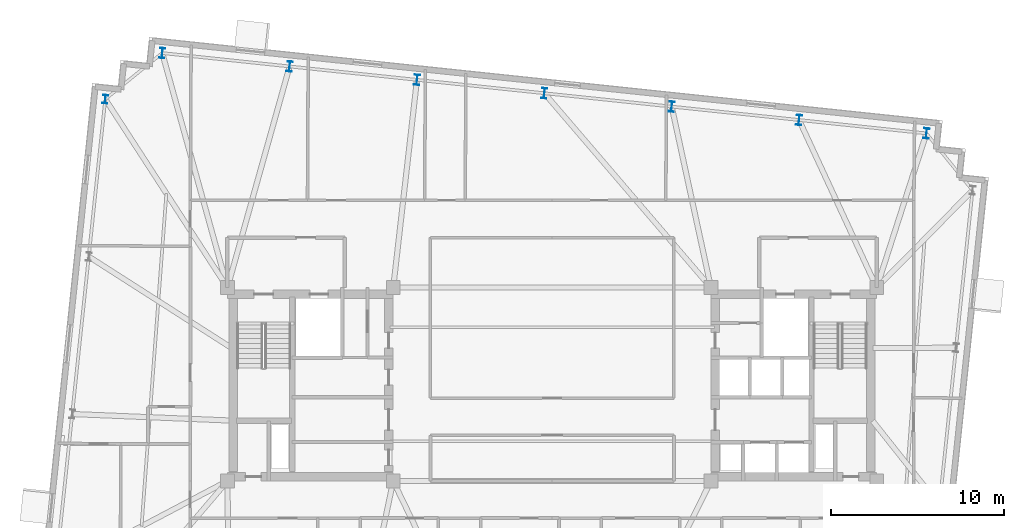
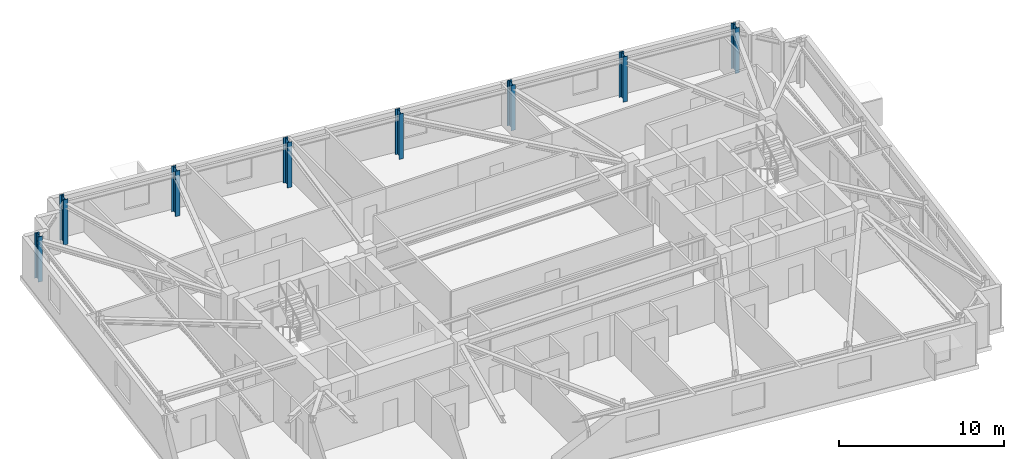
# One storey, part 3 of 11: 8 columns.
"""IFC4 building model written with IfcOpenShell, lengths in metres."""

from ifc_helpers import new_model, si_unit, direction, frame, origin, origin_2d, place, context, subcontext, project, spatial, i_section, extrude, material, material_profile, profile_set, type_object, element, save


model = new_model("IFC4")

# Units and contexts
model_context = context("Model", 3, precision=1e-05, world=origin(), true_north=direction((0.0, 1.0)))
body_context = subcontext(model_context, "Body", "Model", "MODEL_VIEW")
ifc_project = project(units=[si_unit("LENGTHUNIT", "METRE"), si_unit("AREAUNIT", "SQUARE_METRE"), si_unit("VOLUMEUNIT", "CUBIC_METRE"), si_unit("PLANEANGLEUNIT", "RADIAN"), si_unit("MASSUNIT", "GRAM", prefix="KILO")], contexts=[model_context])

# Site, building, storey
site_placement = place(None, origin())
site = spatial("IfcSite", under=ifc_project, at=site_placement, CompositionType="ELEMENT")
building_placement = place(site_placement, origin())
building = spatial("IfcBuilding", under=site, at=building_placement, Name="Qobustan Lattice House", CompositionType="ELEMENT")
storey_placement = place(building_placement, frame((0.0, 0.0, 213.14990234375)))
storey = spatial("IfcBuildingStorey", under=building, at=storey_placement, Name="L60", CompositionType="ELEMENT", Elevation=213.14990234375)

# Columns
ifc_material_1 = material(Name="Steel S355", Category="steel")
ifc_material_profile_1 = material_profile(ifc_material_1, i_section(OverallWidth=0.300048828125, OverallDepth=0.5, WebThickness=0.014404296875, FlangeThickness=0.028076171875, FilletRadius=0.027099609375, at=origin_2d()), Name="HEB500")
ifc_profile_set_1 = profile_set([ifc_material_profile_1], Name="Steel S355")
column_type_1 = type_object("IfcColumnType", Name="COL-ST-HEB500", PredefinedType="COLUMN", material=ifc_profile_set_1)
column_placement = place(storey_placement, frame((-25.87451171875, 16.513916015625, 0.0), z_axis=(0.0, 0.0, 1.0), x_axis=(0.994521895368, -0.104528463268, 0.0)))
element("IfcColumn", 1, at=column_placement, inside=storey, type_object=column_type_1, Name="L60 B4 perimeter column W1", PredefinedType="COLUMN", context=body_context, shape_type="SweptSolid", body=[
    extrude(i_section(OverallWidth=0.300048828125, OverallDepth=0.5, WebThickness=0.014404296875, FlangeThickness=0.028076171875, FilletRadius=0.027099609375, at=origin_2d()), origin(), (0.0, 0.0, 1.0), 3.35009765625),
])
ifc_material_2 = material(Name="Steel S355", Category="steel")
ifc_material_profile_2 = material_profile(ifc_material_2, i_section(OverallWidth=0.300048828125, OverallDepth=0.60009765625, WebThickness=0.015380859375, FlangeThickness=0.030029296875, FilletRadius=0.027099609375, at=origin_2d()), Name="HEB600")
ifc_profile_set_2 = profile_set([ifc_material_profile_2], Name="Steel S355")
column_type_2 = type_object("IfcColumnType", Name="COL-ST-HEB600", PredefinedType="COLUMN", material=ifc_profile_set_2)
for number, where, z_axis, x_axis, name in (
    (2, (21.678955078125, 14.532470703125, 0.0), (0.0, 0.0, 1.0), (0.994521895368, -0.104528463268, 0.0), "L60 B4 perimeter column N1"),
    (3, (14.302978515625, 15.3076171875, 0.0), (0.0, 0.0, 1.0), (0.994521895368, -0.104528463268, 0.0), "L60 B4 perimeter column N2"),
    (4, (6.927001953125, 16.0830078125, 0.0), (0.0, 0.0, 1.0), (0.994521895368, -0.104528463268, 0.0), "L60 B4 perimeter column N3"),
    (5, (-0.44921875, 16.858154296875, 0.0), (0.0, 0.0, 1.0), (0.994521895368, -0.104528463268, 0.0), "L60 B4 perimeter column N4"),
    (6, (-7.8251953125, 17.633544921875, 0.0), (0.0, 0.0, 1.0), (0.994521895368, -0.104528463268, 0.0), "L60 B4 perimeter column N5"),
    (7, (-15.201171875, 18.40869140625, 0.0), (0.0, 0.0, 1.0), (0.994521895368, -0.104528463268, 0.0), "L60 B4 perimeter column N6"),
    (8, (-22.577392578125, 19.18408203125, 0.0), (0.0, 0.0, 1.0), (0.994521895368, -0.104528463268, 0.0), "L60 B4 perimeter column N7"),
):
    element("IfcColumn", number, at=place(storey_placement, frame(where, z_axis=z_axis, x_axis=x_axis)), inside=storey, type_object=column_type_2, Name=name, PredefinedType="COLUMN", context=body_context, shape_type="SweptSolid", body=[
        extrude(i_section(OverallWidth=0.300048828125, OverallDepth=0.60009765625, WebThickness=0.015380859375, FlangeThickness=0.030029296875, FilletRadius=0.027099609375, at=origin_2d()), origin(), (0.0, 0.0, 1.0), 3.35009765625),
    ])

save(model, "model.ifc")
